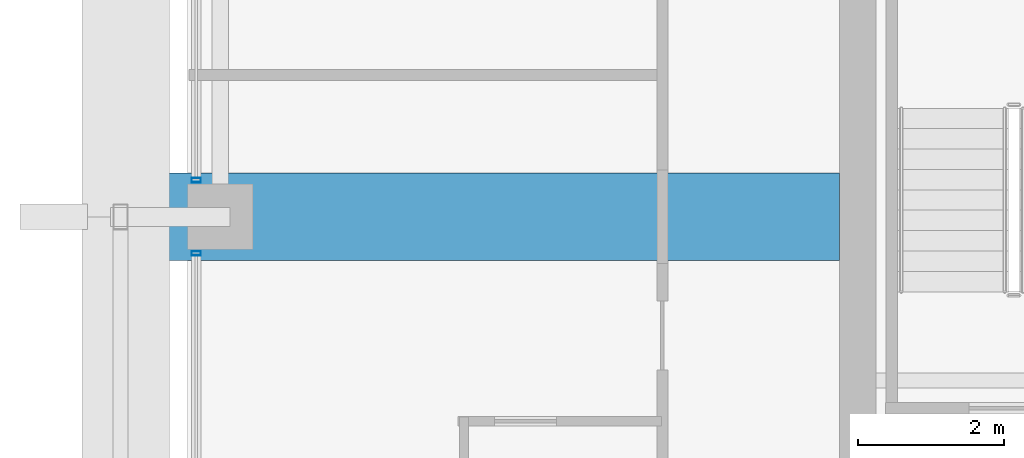
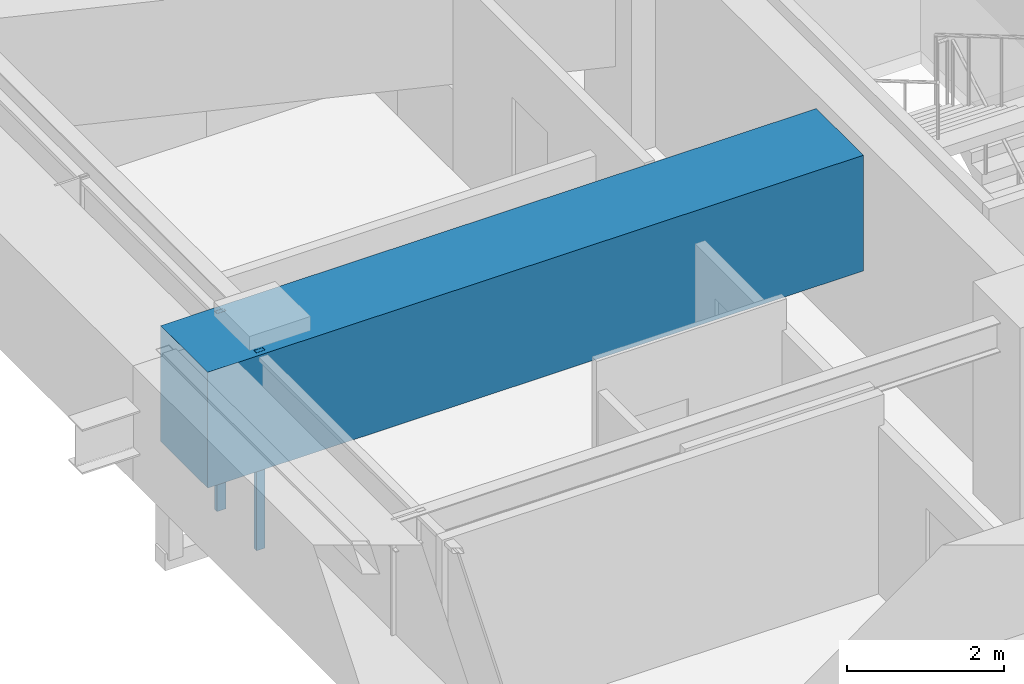
# One storey, part 12 of 40: 2 members, 1 beam, 2 elements without a shape of their own.
"""IFC4 building model written with IfcOpenShell, lengths in metres."""

from ifc_helpers import new_model, si_unit, direction, frame, origin, origin_2d, place, context, subcontext, project, spatial, rectangle, hollow_rectangle, extrude, material, material_profile, profile_set, type_object, element, aggregate, save


model = new_model("IFC4")

# Units and contexts
model_context = context("Model", 3, precision=1e-05, world=origin(), true_north=direction((0.0, 1.0)))
body_context = subcontext(model_context, "Body", "Model", "MODEL_VIEW")
ifc_project = project(units=[si_unit("LENGTHUNIT", "METRE"), si_unit("AREAUNIT", "SQUARE_METRE"), si_unit("VOLUMEUNIT", "CUBIC_METRE"), si_unit("PLANEANGLEUNIT", "RADIAN"), si_unit("MASSUNIT", "GRAM", prefix="KILO")], contexts=[model_context])

# Site, building, storey
site_placement = place(None, origin())
site = spatial("IfcSite", under=ifc_project, at=site_placement, CompositionType="ELEMENT")
building_placement = place(site_placement, origin())
building = spatial("IfcBuilding", under=site, at=building_placement, Name="Kolvaren Belvedere", CompositionType="ELEMENT")
storey_placement = place(building_placement, frame((0.0, 0.0, 170.10009765625)))
storey = spatial("IfcBuildingStorey", under=building, at=storey_placement, Name="L49", CompositionType="ELEMENT", Elevation=170.10009765625)

# Beam
ifc_material_1 = material(Name="Concrete C50/60", Category="concrete")
ifc_material_profile_1 = material_profile(ifc_material_1, rectangle(XDim=1.199951171875, YDim=1.800048828125, at=origin_2d()), Name="RC 1200X1800")
ifc_profile_set_1 = profile_set([ifc_material_profile_1], Name="Concrete C50/60")
beam_type = type_object("IfcBeamType", Name="BM-TG-1800", PredefinedType="BEAM", material=ifc_profile_set_1)
beam_placement = place(storey_placement, frame((-10.14990234375, 4.60009765625, 2.179931640625), z_axis=(-1.0, 0.0, 0.0), x_axis=(0.0, -1.0, 0.0)))
element("IfcBeam", 1, at=beam_placement, inside=storey, type_object=beam_type, Name="L49 West Radial Girder P", PredefinedType="BEAM", context=body_context, shape_type="SweptSolid", body=[
    extrude(rectangle(XDim=1.199951171875, YDim=1.800048828125, at=origin_2d()), origin(), (0.0, 0.0, 1.0), 9.650146484375),
])

# Curtain wall, member
ifc_material_2 = material(Name="Anodised pale-metal aluminium AA 6063-T6", Category="aluminium")
curtain_wall_type = type_object("IfcCurtainWallType", Name="CW-Z3-WAIST", PredefinedType="NOTDEFINED", material=ifc_material_2)
curtain_wall_1_placement = place(storey_placement, origin())
curtain_wall_1 = element("IfcCurtainWall", 2, at=curtain_wall_1_placement, inside=storey, type_object=curtain_wall_type, Name="L49 Unitised Curtain Wall FCW-L49-W-B2", PredefinedType="NOTDEFINED")
ifc_material_3 = material(Name="Anodised pale-metal aluminium AA 6063-T6", Category="aluminium")
ifc_material_profile_2 = material_profile(ifc_material_3, hollow_rectangle(XDim=0.06494140625, YDim=0.1298828125, WallThickness=0.00390625, at=origin_2d()), Name="ALU-MUL-130X65")
ifc_profile_set_2 = profile_set([ifc_material_profile_2], Name="Anodised pale-metal aluminium AA 6063-T6")
member_type = type_object("IfcMemberType", Name="CW-MUL-130", PredefinedType="MULLION", material=ifc_profile_set_2)
member_1_placement = place(storey_placement, frame((-18.97998046875, 4.097412109375, 0.0), z_axis=(0.0, 0.0, 1.0), x_axis=(0.0, 1.0, 0.0)))
member_1 = element("IfcMember", 3, at=member_1_placement, type_object=member_type, Name="FCW-L49-W-B2 Unitised Mullion 3", PredefinedType="MULLION", context=body_context, shape_type="SweptSolid", body=[
    extrude(hollow_rectangle(XDim=0.06494140625, YDim=0.1298828125, WallThickness=0.00390625, at=origin_2d()), origin(), (0.0, 0.0, 1.0), 3.079833984375),
])
aggregate(curtain_wall_1, [member_1])

curtain_wall_2_placement = place(storey_placement, origin())
curtain_wall_2 = element("IfcCurtainWall", 4, at=curtain_wall_2_placement, inside=storey, type_object=curtain_wall_type, Name="L49 Unitised Curtain Wall FCW-L49-W-B3", PredefinedType="NOTDEFINED")
member_2_placement = place(storey_placement, frame((-18.97998046875, 5.1025390625, 0.0), z_axis=(0.0, 0.0, 1.0), x_axis=(0.0, 1.0, 0.0)))
member_2 = element("IfcMember", 5, at=member_2_placement, type_object=member_type, Name="FCW-L49-W-B3 Unitised Mullion 1", PredefinedType="MULLION", context=body_context, shape_type="SweptSolid", body=[
    extrude(hollow_rectangle(XDim=0.06494140625, YDim=0.1298828125, WallThickness=0.00390625, at=origin_2d()), origin(), (0.0, 0.0, 1.0), 3.079833984375),
])
aggregate(curtain_wall_2, [member_2])

save(model, "model.ifc")
